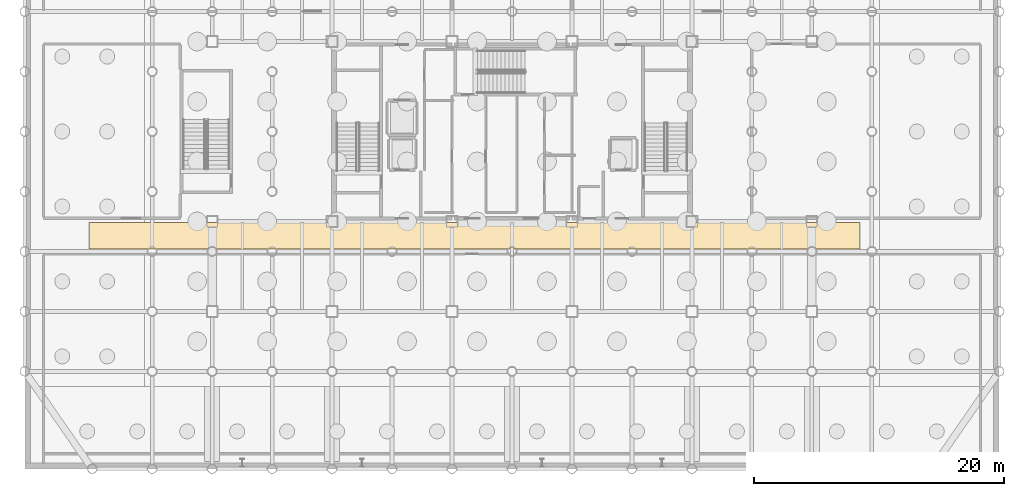
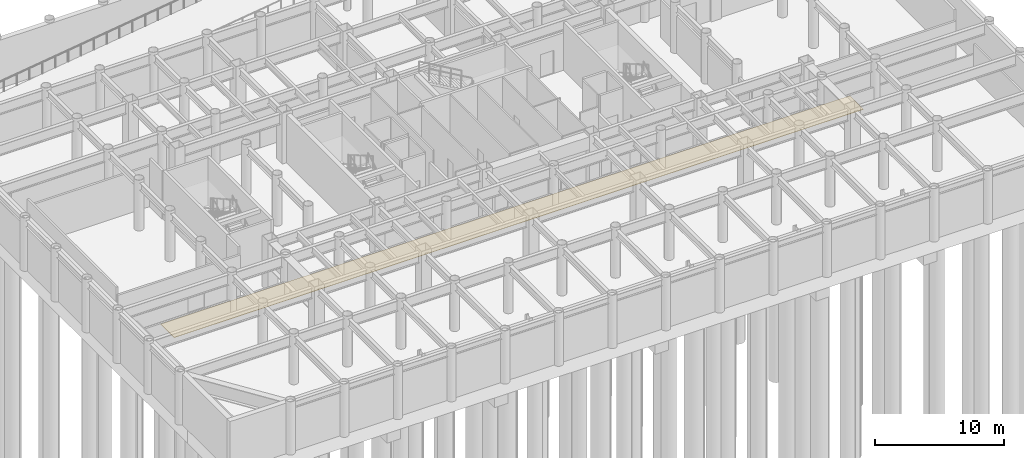
# One storey, part 14 of 17: 1 covering.
"""IFC4 building model written with IfcOpenShell, lengths in metres."""

from ifc_helpers import new_model, si_unit, direction, frame, origin, origin_2d, place, context, subcontext, project, spatial, rectangle, extrude, material, layer, layer_set, type_object, element, save


model = new_model("IFC4")

# Units and contexts
model_context = context("Model", 3, precision=1e-05, world=origin(), true_north=direction((0.0, 1.0)))
body_context = subcontext(model_context, "Body", "Model", "MODEL_VIEW")
ifc_project = project(units=[si_unit("LENGTHUNIT", "METRE"), si_unit("AREAUNIT", "SQUARE_METRE"), si_unit("VOLUMEUNIT", "CUBIC_METRE"), si_unit("PLANEANGLEUNIT", "RADIAN"), si_unit("MASSUNIT", "GRAM", prefix="KILO")], contexts=[model_context])

# Site, building, storey
site_placement = place(None, origin())
site = spatial("IfcSite", under=ifc_project, at=site_placement, CompositionType="ELEMENT")
building_placement = place(site_placement, origin())
building = spatial("IfcBuilding", under=site, at=building_placement, Name="Kallvorn Hotel Tower", CompositionType="ELEMENT")
storey_placement = place(building_placement, frame((0.0, 0.0, -10.199951171875)))
storey = spatial("IfcBuildingStorey", under=building, at=storey_placement, Name="B2", CompositionType="ELEMENT", Elevation=-10.199951171875)

# Covering
ifc_material = material(Name="Honed Andean stone terrazzo floor finish", Category="masonry")
ifc_layer = layer(ifc_material, 0.0400390625)
ifc_layer_set = layer_set([ifc_layer], Name="COV_FLOOR_TERR")
covering_type = type_object("IfcCoveringType", Name="COV_FLOOR_TERR", PredefinedType="FLOORING", material=ifc_layer_set)
covering_placement = place(storey_placement, frame((-3.0, -8.35009765625, 0.0), z_axis=(0.0, 0.0, 1.0), x_axis=(1.0, 0.0, 0.0)))
element("IfcCovering", 1, at=covering_placement, inside=storey, type_object=covering_type, Name="B2 Honed Terrazzo Lobby Flooring 01", PredefinedType="FLOORING", context=body_context, shape_type="SweptSolid", body=[
    extrude(rectangle(XDim=61.699951171875, YDim=2.10009765625, at=origin_2d()), origin(), (0.0, 0.0, 1.0), 0.0400390625),
])

save(model, "model.ifc")
